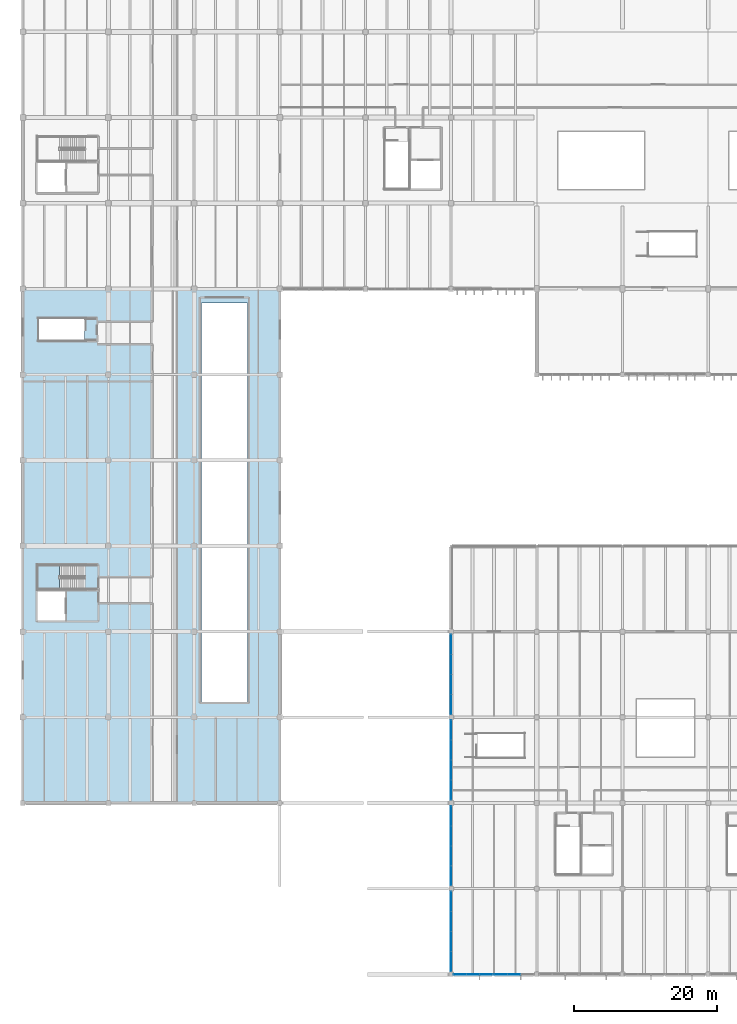
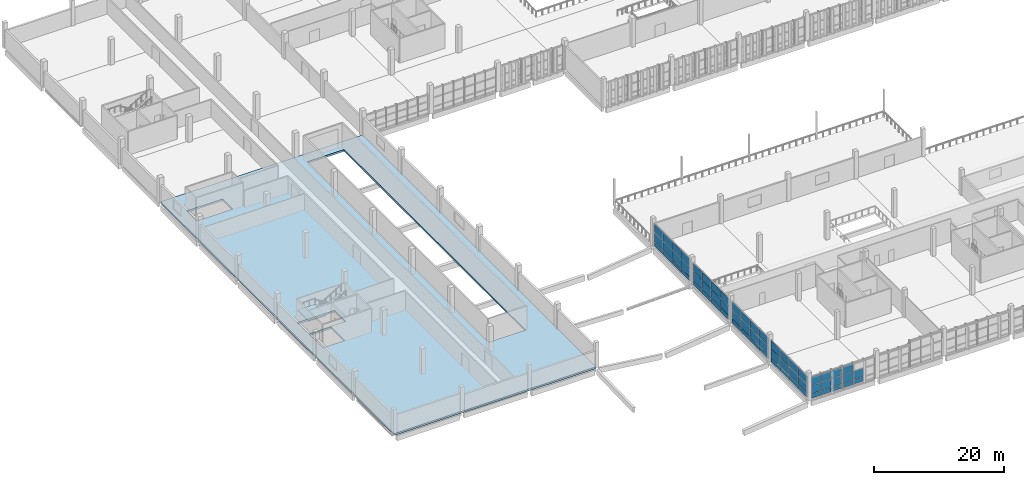
# One storey, part 58 of 112: 62 plates, 2 slabs, 7 elements without a shape of their own.
"""IFC4 building model written with IfcOpenShell, lengths in metres."""

from ifc_helpers import new_model, si_unit, direction, frame, origin, origin_2d, place, context, subcontext, project, spatial, polyline, rectangle, outline, extrude, material, layer, layer_set, type_object, element, aggregate, save


model = new_model("IFC4")

# Units and contexts
model_context = context("Model", 3, precision=1e-05, world=origin(), true_north=direction((0.0, 1.0)))
body_context = subcontext(model_context, "Body", "Model", "MODEL_VIEW")
ifc_project = project(units=[si_unit("LENGTHUNIT", "METRE"), si_unit("AREAUNIT", "SQUARE_METRE"), si_unit("VOLUMEUNIT", "CUBIC_METRE"), si_unit("PLANEANGLEUNIT", "RADIAN"), si_unit("MASSUNIT", "GRAM", prefix="KILO")], contexts=[model_context])

# Site, building, storey
site_placement = place(None, origin())
site = spatial("IfcSite", under=ifc_project, at=site_placement, CompositionType="ELEMENT")
building_placement = place(site_placement, origin())
building = spatial("IfcBuilding", under=site, at=building_placement, Name="Kamomehara Wholesale Market", CompositionType="ELEMENT")
storey_placement = place(building_placement, frame((0.0, 0.0, 6.60009765625)))
storey = spatial("IfcBuildingStorey", under=building, at=storey_placement, Name="L01", CompositionType="ELEMENT", Elevation=6.60009765625)

# Curtain wall, plates
ifc_material_1 = material(Name="Anodised aluminium 6063-T5", Category="aluminium")
curtain_wall_type_1 = type_object("IfcCurtainWallType", Name="CW-UN-01", PredefinedType="NOTDEFINED", material=ifc_material_1)
curtain_wall_1_placement = place(storey_placement, origin())
curtain_wall_1 = element("IfcCurtainWall", 1, at=curtain_wall_1_placement, inside=storey, type_object=curtain_wall_type_1, Name="Unitised curtain wall CW-121", PredefinedType="NOTDEFINED")
ifc_material_2 = material(Name="Solar-control Low-E double glazing", Category="glass")
ifc_layer_1 = layer(ifc_material_2, 0.028076171875)
ifc_layer_set_1 = layer_set([ifc_layer_1], Name="Solar-control Low-E double glazing")
plate_type_1 = type_object("IfcPlateType", Name="CW-PNL-GLZ", PredefinedType="CURTAIN_PANEL", material=ifc_layer_set_1)
plate_1_placement = place(storey_placement, frame((68.800048828125, 11.97998046875, 0.929931640625), z_axis=(0.0, 0.0, 1.0), x_axis=(-1.0, 0.0, 0.0)))
plate_1 = element("IfcPlate", 2, at=plate_1_placement, type_object=plate_type_1, Name="Curtain panel CW-121.1.1", PredefinedType="CURTAIN_PANEL", context=body_context, shape_type="SweptSolid", body=[
    extrude(rectangle(XDim=1.787109375, YDim=0.028076171875, at=origin_2d()), origin(), (0.0, 0.0, 1.0), 1.580078125),
])
plate_2_placement = place(storey_placement, frame((66.93310546875, 11.97998046875, 0.929931640625), z_axis=(0.0, 0.0, 1.0), x_axis=(-1.0, 0.0, 0.0)))
plate_2 = element("IfcPlate", 3, at=plate_2_placement, type_object=plate_type_1, Name="Curtain panel CW-121.2.1", PredefinedType="CURTAIN_PANEL", context=body_context, shape_type="SweptSolid", body=[
    extrude(rectangle(XDim=1.787109375, YDim=0.028076171875, at=origin_2d()), origin(), (0.0, 0.0, 1.0), 1.580078125),
])
plate_3_placement = place(storey_placement, frame((66.93310546875, 11.97998046875, 2.56982421875), z_axis=(0.0, 0.0, 1.0), x_axis=(-1.0, 0.0, 0.0)))
plate_3 = element("IfcPlate", 4, at=plate_3_placement, type_object=plate_type_1, Name="Curtain panel CW-121.2.2", PredefinedType="CURTAIN_PANEL", context=body_context, shape_type="SweptSolid", body=[
    extrude(rectangle(XDim=1.787109375, YDim=0.028076171875, at=origin_2d()), origin(), (0.0, 0.0, 1.0), 1.5400390625),
])

curtain_wall_2_placement = place(storey_placement, origin())
curtain_wall_2 = element("IfcCurtainWall", 5, at=curtain_wall_2_placement, inside=storey, type_object=curtain_wall_type_1, Name="Unitised curtain wall CW-122", PredefinedType="NOTDEFINED")
plate_4_placement = place(storey_placement, frame((64.888916015625, 11.97998046875, 0.929931640625), z_axis=(0.0, 0.0, 1.0), x_axis=(-1.0, 0.0, 0.0)))
plate_4 = element("IfcPlate", 6, at=plate_4_placement, type_object=plate_type_1, Name="Curtain panel CW-122.0.1", PredefinedType="CURTAIN_PANEL", context=body_context, shape_type="SweptSolid", body=[
    extrude(rectangle(XDim=1.741943359375, YDim=0.028076171875, at=origin_2d()), origin(), (0.0, 0.0, 1.0), 1.580078125),
])
plate_5_placement = place(storey_placement, frame((64.888916015625, 11.97998046875, 2.56982421875), z_axis=(0.0, 0.0, 1.0), x_axis=(-1.0, 0.0, 0.0)))
plate_5 = element("IfcPlate", 7, at=plate_5_placement, type_object=plate_type_1, Name="Curtain panel CW-122.0.2", PredefinedType="CURTAIN_PANEL", context=body_context, shape_type="SweptSolid", body=[
    extrude(rectangle(XDim=1.741943359375, YDim=0.028076171875, at=origin_2d()), origin(), (0.0, 0.0, 1.0), 1.5400390625),
])
plate_6_placement = place(storey_placement, frame((63.06689453125, 11.97998046875, 0.929931640625), z_axis=(0.0, 0.0, 1.0), x_axis=(-1.0, 0.0, 0.0)))
plate_6 = element("IfcPlate", 8, at=plate_6_placement, type_object=plate_type_1, Name="Curtain panel CW-122.1.1", PredefinedType="CURTAIN_PANEL", context=body_context, shape_type="SweptSolid", body=[
    extrude(rectangle(XDim=1.741943359375, YDim=0.028076171875, at=origin_2d()), origin(), (0.0, 0.0, 1.0), 1.580078125),
])
plate_7_placement = place(storey_placement, frame((63.06689453125, 11.97998046875, 2.56982421875), z_axis=(0.0, 0.0, 1.0), x_axis=(-1.0, 0.0, 0.0)))
plate_7 = element("IfcPlate", 9, at=plate_7_placement, type_object=plate_type_1, Name="Curtain panel CW-122.1.2", PredefinedType="CURTAIN_PANEL", context=body_context, shape_type="SweptSolid", body=[
    extrude(rectangle(XDim=1.741943359375, YDim=0.028076171875, at=origin_2d()), origin(), (0.0, 0.0, 1.0), 1.5400390625),
])
plate_8_placement = place(storey_placement, frame((61.24609375, 11.97998046875, 0.929931640625), z_axis=(0.0, 0.0, 1.0), x_axis=(-1.0, 0.0, 0.0)))
plate_8 = element("IfcPlate", 10, at=plate_8_placement, type_object=plate_type_1, Name="Curtain panel CW-122.2.1", PredefinedType="CURTAIN_PANEL", context=body_context, shape_type="SweptSolid", body=[
    extrude(rectangle(XDim=1.741943359375, YDim=0.028076171875, at=origin_2d()), origin(), (0.0, 0.0, 1.0), 1.580078125),
])
plate_9_placement = place(storey_placement, frame((61.24609375, 11.97998046875, 2.56982421875), z_axis=(0.0, 0.0, 1.0), x_axis=(-1.0, 0.0, 0.0)))
plate_9 = element("IfcPlate", 11, at=plate_9_placement, type_object=plate_type_1, Name="Curtain panel CW-122.2.2", PredefinedType="CURTAIN_PANEL", context=body_context, shape_type="SweptSolid", body=[
    extrude(rectangle(XDim=1.741943359375, YDim=0.028076171875, at=origin_2d()), origin(), (0.0, 0.0, 1.0), 1.5400390625),
])

ifc_material_3 = material(Name="Anodised aluminium 6063-T5", Category="aluminium")
curtain_wall_type_2 = type_object("IfcCurtainWallType", Name="CW-UN-06", PredefinedType="NOTDEFINED", material=ifc_material_3)
curtain_wall_3_placement = place(storey_placement, origin())
curtain_wall_3 = element("IfcCurtainWall", 12, at=curtain_wall_3_placement, inside=storey, type_object=curtain_wall_type_2, Name="Unitised curtain wall CW-129", PredefinedType="NOTDEFINED")
plate_10_placement = place(storey_placement, frame((59.97998046875, 13.800048828125, 0.929931640625), z_axis=(0.0, 0.0, 1.0), x_axis=(0.0, 1.0, 0.0)))
plate_10 = element("IfcPlate", 13, at=plate_10_placement, type_object=plate_type_1, Name="Curtain panel CW-129.0.1", PredefinedType="CURTAIN_PANEL", context=body_context, shape_type="SweptSolid", body=[
    extrude(rectangle(XDim=2.719970703125, YDim=0.028076171875, at=origin_2d()), origin(), (0.0, 0.0, 1.0), 1.580078125),
])
plate_11_placement = place(storey_placement, frame((59.97998046875, 13.800048828125, 2.56982421875), z_axis=(0.0, 0.0, 1.0), x_axis=(0.0, 1.0, 0.0)))
plate_11 = element("IfcPlate", 14, at=plate_11_placement, type_object=plate_type_1, Name="Curtain panel CW-129.0.2", PredefinedType="CURTAIN_PANEL", context=body_context, shape_type="SweptSolid", body=[
    extrude(rectangle(XDim=2.719970703125, YDim=0.028076171875, at=origin_2d()), origin(), (0.0, 0.0, 1.0), 1.5400390625),
])
plate_12_placement = place(storey_placement, frame((59.97998046875, 16.60009765625, 0.929931640625), z_axis=(0.0, 0.0, 1.0), x_axis=(0.0, 1.0, 0.0)))
plate_12 = element("IfcPlate", 15, at=plate_12_placement, type_object=plate_type_1, Name="Curtain panel CW-129.1.1", PredefinedType="CURTAIN_PANEL", context=body_context, shape_type="SweptSolid", body=[
    extrude(rectangle(XDim=2.719970703125, YDim=0.028076171875, at=origin_2d()), origin(), (0.0, 0.0, 1.0), 1.580078125),
])
plate_13_placement = place(storey_placement, frame((59.97998046875, 16.60009765625, 2.56982421875), z_axis=(0.0, 0.0, 1.0), x_axis=(0.0, 1.0, 0.0)))
plate_13 = element("IfcPlate", 16, at=plate_13_placement, type_object=plate_type_1, Name="Curtain panel CW-129.1.2", PredefinedType="CURTAIN_PANEL", context=body_context, shape_type="SweptSolid", body=[
    extrude(rectangle(XDim=2.719970703125, YDim=0.028076171875, at=origin_2d()), origin(), (0.0, 0.0, 1.0), 1.5400390625),
])
plate_14_placement = place(storey_placement, frame((59.97998046875, 19.39990234375, 0.929931640625), z_axis=(0.0, 0.0, 1.0), x_axis=(0.0, 1.0, 0.0)))
plate_14 = element("IfcPlate", 17, at=plate_14_placement, type_object=plate_type_1, Name="Curtain panel CW-129.2.1", PredefinedType="CURTAIN_PANEL", context=body_context, shape_type="SweptSolid", body=[
    extrude(rectangle(XDim=2.719970703125, YDim=0.028076171875, at=origin_2d()), origin(), (0.0, 0.0, 1.0), 1.580078125),
])
plate_15_placement = place(storey_placement, frame((59.97998046875, 19.39990234375, 2.56982421875), z_axis=(0.0, 0.0, 1.0), x_axis=(0.0, 1.0, 0.0)))
plate_15 = element("IfcPlate", 18, at=plate_15_placement, type_object=plate_type_1, Name="Curtain panel CW-129.2.2", PredefinedType="CURTAIN_PANEL", context=body_context, shape_type="SweptSolid", body=[
    extrude(rectangle(XDim=2.719970703125, YDim=0.028076171875, at=origin_2d()), origin(), (0.0, 0.0, 1.0), 1.5400390625),
])
plate_16_placement = place(storey_placement, frame((59.97998046875, 22.199951171875, 0.929931640625), z_axis=(0.0, 0.0, 1.0), x_axis=(0.0, 1.0, 0.0)))
plate_16 = element("IfcPlate", 19, at=plate_16_placement, type_object=plate_type_1, Name="Curtain panel CW-129.3.1", PredefinedType="CURTAIN_PANEL", context=body_context, shape_type="SweptSolid", body=[
    extrude(rectangle(XDim=2.719970703125, YDim=0.028076171875, at=origin_2d()), origin(), (0.0, 0.0, 1.0), 1.580078125),
])
plate_17_placement = place(storey_placement, frame((59.97998046875, 22.199951171875, 2.56982421875), z_axis=(0.0, 0.0, 1.0), x_axis=(0.0, 1.0, 0.0)))
plate_17 = element("IfcPlate", 20, at=plate_17_placement, type_object=plate_type_1, Name="Curtain panel CW-129.3.2", PredefinedType="CURTAIN_PANEL", context=body_context, shape_type="SweptSolid", body=[
    extrude(rectangle(XDim=2.719970703125, YDim=0.028076171875, at=origin_2d()), origin(), (0.0, 0.0, 1.0), 1.5400390625),
])

curtain_wall_4_placement = place(storey_placement, origin())
curtain_wall_4 = element("IfcCurtainWall", 21, at=curtain_wall_4_placement, inside=storey, type_object=curtain_wall_type_2, Name="Unitised curtain wall CW-130", PredefinedType="NOTDEFINED")
plate_18_placement = place(storey_placement, frame((59.97998046875, 25.800048828125, 0.929931640625), z_axis=(0.0, 0.0, 1.0), x_axis=(0.0, 1.0, 0.0)))
plate_18 = element("IfcPlate", 22, at=plate_18_placement, type_object=plate_type_1, Name="Curtain panel CW-130.0.1", PredefinedType="CURTAIN_PANEL", context=body_context, shape_type="SweptSolid", body=[
    extrude(rectangle(XDim=2.719970703125, YDim=0.028076171875, at=origin_2d()), origin(), (0.0, 0.0, 1.0), 1.580078125),
])
plate_19_placement = place(storey_placement, frame((59.97998046875, 25.800048828125, 2.56982421875), z_axis=(0.0, 0.0, 1.0), x_axis=(0.0, 1.0, 0.0)))
plate_19 = element("IfcPlate", 23, at=plate_19_placement, type_object=plate_type_1, Name="Curtain panel CW-130.0.2", PredefinedType="CURTAIN_PANEL", context=body_context, shape_type="SweptSolid", body=[
    extrude(rectangle(XDim=2.719970703125, YDim=0.028076171875, at=origin_2d()), origin(), (0.0, 0.0, 1.0), 1.5400390625),
])
plate_20_placement = place(storey_placement, frame((59.97998046875, 28.60009765625, 0.929931640625), z_axis=(0.0, 0.0, 1.0), x_axis=(0.0, 1.0, 0.0)))
plate_20 = element("IfcPlate", 24, at=plate_20_placement, type_object=plate_type_1, Name="Curtain panel CW-130.1.1", PredefinedType="CURTAIN_PANEL", context=body_context, shape_type="SweptSolid", body=[
    extrude(rectangle(XDim=2.719970703125, YDim=0.028076171875, at=origin_2d()), origin(), (0.0, 0.0, 1.0), 1.580078125),
])
plate_21_placement = place(storey_placement, frame((59.97998046875, 28.60009765625, 2.56982421875), z_axis=(0.0, 0.0, 1.0), x_axis=(0.0, 1.0, 0.0)))
plate_21 = element("IfcPlate", 25, at=plate_21_placement, type_object=plate_type_1, Name="Curtain panel CW-130.1.2", PredefinedType="CURTAIN_PANEL", context=body_context, shape_type="SweptSolid", body=[
    extrude(rectangle(XDim=2.719970703125, YDim=0.028076171875, at=origin_2d()), origin(), (0.0, 0.0, 1.0), 1.5400390625),
])
plate_22_placement = place(storey_placement, frame((59.97998046875, 31.39990234375, 0.929931640625), z_axis=(0.0, 0.0, 1.0), x_axis=(0.0, 1.0, 0.0)))
plate_22 = element("IfcPlate", 26, at=plate_22_placement, type_object=plate_type_1, Name="Curtain panel CW-130.2.1", PredefinedType="CURTAIN_PANEL", context=body_context, shape_type="SweptSolid", body=[
    extrude(rectangle(XDim=2.719970703125, YDim=0.028076171875, at=origin_2d()), origin(), (0.0, 0.0, 1.0), 1.580078125),
])
plate_23_placement = place(storey_placement, frame((59.97998046875, 31.39990234375, 2.56982421875), z_axis=(0.0, 0.0, 1.0), x_axis=(0.0, 1.0, 0.0)))
plate_23 = element("IfcPlate", 27, at=plate_23_placement, type_object=plate_type_1, Name="Curtain panel CW-130.2.2", PredefinedType="CURTAIN_PANEL", context=body_context, shape_type="SweptSolid", body=[
    extrude(rectangle(XDim=2.719970703125, YDim=0.028076171875, at=origin_2d()), origin(), (0.0, 0.0, 1.0), 1.5400390625),
])
plate_24_placement = place(storey_placement, frame((59.97998046875, 34.199951171875, 0.929931640625), z_axis=(0.0, 0.0, 1.0), x_axis=(0.0, 1.0, 0.0)))
plate_24 = element("IfcPlate", 28, at=plate_24_placement, type_object=plate_type_1, Name="Curtain panel CW-130.3.1", PredefinedType="CURTAIN_PANEL", context=body_context, shape_type="SweptSolid", body=[
    extrude(rectangle(XDim=2.719970703125, YDim=0.028076171875, at=origin_2d()), origin(), (0.0, 0.0, 1.0), 1.580078125),
])
plate_25_placement = place(storey_placement, frame((59.97998046875, 34.199951171875, 2.56982421875), z_axis=(0.0, 0.0, 1.0), x_axis=(0.0, 1.0, 0.0)))
plate_25 = element("IfcPlate", 29, at=plate_25_placement, type_object=plate_type_1, Name="Curtain panel CW-130.3.2", PredefinedType="CURTAIN_PANEL", context=body_context, shape_type="SweptSolid", body=[
    extrude(rectangle(XDim=2.719970703125, YDim=0.028076171875, at=origin_2d()), origin(), (0.0, 0.0, 1.0), 1.5400390625),
])

curtain_wall_5_placement = place(storey_placement, origin())
curtain_wall_5 = element("IfcCurtainWall", 30, at=curtain_wall_5_placement, inside=storey, type_object=curtain_wall_type_2, Name="Unitised curtain wall CW-131", PredefinedType="NOTDEFINED")
plate_26_placement = place(storey_placement, frame((59.97998046875, 37.800048828125, 0.929931640625), z_axis=(0.0, 0.0, 1.0), x_axis=(0.0, 1.0, 0.0)))
plate_26 = element("IfcPlate", 31, at=plate_26_placement, type_object=plate_type_1, Name="Curtain panel CW-131.0.1", PredefinedType="CURTAIN_PANEL", context=body_context, shape_type="SweptSolid", body=[
    extrude(rectangle(XDim=2.719970703125, YDim=0.028076171875, at=origin_2d()), origin(), (0.0, 0.0, 1.0), 1.580078125),
])
plate_27_placement = place(storey_placement, frame((59.97998046875, 37.800048828125, 2.56982421875), z_axis=(0.0, 0.0, 1.0), x_axis=(0.0, 1.0, 0.0)))
plate_27 = element("IfcPlate", 32, at=plate_27_placement, type_object=plate_type_1, Name="Curtain panel CW-131.0.2", PredefinedType="CURTAIN_PANEL", context=body_context, shape_type="SweptSolid", body=[
    extrude(rectangle(XDim=2.719970703125, YDim=0.028076171875, at=origin_2d()), origin(), (0.0, 0.0, 1.0), 1.5400390625),
])
plate_28_placement = place(storey_placement, frame((59.97998046875, 40.60009765625, 0.929931640625), z_axis=(0.0, 0.0, 1.0), x_axis=(0.0, 1.0, 0.0)))
plate_28 = element("IfcPlate", 33, at=plate_28_placement, type_object=plate_type_1, Name="Curtain panel CW-131.1.1", PredefinedType="CURTAIN_PANEL", context=body_context, shape_type="SweptSolid", body=[
    extrude(rectangle(XDim=2.719970703125, YDim=0.028076171875, at=origin_2d()), origin(), (0.0, 0.0, 1.0), 1.580078125),
])
plate_29_placement = place(storey_placement, frame((59.97998046875, 40.60009765625, 2.56982421875), z_axis=(0.0, 0.0, 1.0), x_axis=(0.0, 1.0, 0.0)))
plate_29 = element("IfcPlate", 34, at=plate_29_placement, type_object=plate_type_1, Name="Curtain panel CW-131.1.2", PredefinedType="CURTAIN_PANEL", context=body_context, shape_type="SweptSolid", body=[
    extrude(rectangle(XDim=2.719970703125, YDim=0.028076171875, at=origin_2d()), origin(), (0.0, 0.0, 1.0), 1.5400390625),
])
plate_30_placement = place(storey_placement, frame((59.97998046875, 43.39990234375, 0.929931640625), z_axis=(0.0, 0.0, 1.0), x_axis=(0.0, 1.0, 0.0)))
plate_30 = element("IfcPlate", 35, at=plate_30_placement, type_object=plate_type_1, Name="Curtain panel CW-131.2.1", PredefinedType="CURTAIN_PANEL", context=body_context, shape_type="SweptSolid", body=[
    extrude(rectangle(XDim=2.719970703125, YDim=0.028076171875, at=origin_2d()), origin(), (0.0, 0.0, 1.0), 1.580078125),
])
plate_31_placement = place(storey_placement, frame((59.97998046875, 43.39990234375, 2.56982421875), z_axis=(0.0, 0.0, 1.0), x_axis=(0.0, 1.0, 0.0)))
plate_31 = element("IfcPlate", 36, at=plate_31_placement, type_object=plate_type_1, Name="Curtain panel CW-131.2.2", PredefinedType="CURTAIN_PANEL", context=body_context, shape_type="SweptSolid", body=[
    extrude(rectangle(XDim=2.719970703125, YDim=0.028076171875, at=origin_2d()), origin(), (0.0, 0.0, 1.0), 1.5400390625),
])
plate_32_placement = place(storey_placement, frame((59.97998046875, 46.199951171875, 0.929931640625), z_axis=(0.0, 0.0, 1.0), x_axis=(0.0, 1.0, 0.0)))
plate_32 = element("IfcPlate", 37, at=plate_32_placement, type_object=plate_type_1, Name="Curtain panel CW-131.3.1", PredefinedType="CURTAIN_PANEL", context=body_context, shape_type="SweptSolid", body=[
    extrude(rectangle(XDim=2.719970703125, YDim=0.028076171875, at=origin_2d()), origin(), (0.0, 0.0, 1.0), 1.580078125),
])
plate_33_placement = place(storey_placement, frame((59.97998046875, 46.199951171875, 2.56982421875), z_axis=(0.0, 0.0, 1.0), x_axis=(0.0, 1.0, 0.0)))
plate_33 = element("IfcPlate", 38, at=plate_33_placement, type_object=plate_type_1, Name="Curtain panel CW-131.3.2", PredefinedType="CURTAIN_PANEL", context=body_context, shape_type="SweptSolid", body=[
    extrude(rectangle(XDim=2.719970703125, YDim=0.028076171875, at=origin_2d()), origin(), (0.0, 0.0, 1.0), 1.5400390625),
])

curtain_wall_6_placement = place(storey_placement, origin())
curtain_wall_6 = element("IfcCurtainWall", 39, at=curtain_wall_6_placement, inside=storey, type_object=curtain_wall_type_2, Name="Unitised curtain wall CW-132", PredefinedType="NOTDEFINED")
plate_34_placement = place(storey_placement, frame((59.97998046875, 49.800048828125, 0.92919921875), z_axis=(0.0, 0.0, 1.0), x_axis=(0.0, 1.0, 0.0)))
plate_34 = element("IfcPlate", 40, at=plate_34_placement, type_object=plate_type_1, Name="Curtain panel CW-132.0.1", PredefinedType="CURTAIN_PANEL", context=body_context, shape_type="SweptSolid", body=[
    extrude(rectangle(XDim=2.719970703125, YDim=0.028076171875, at=origin_2d()), origin(), (0.0, 0.0, 1.0), 1.655029296875),
])
plate_35_placement = place(storey_placement, frame((59.97998046875, 49.800048828125, 2.6455078125), z_axis=(0.0, 0.0, 1.0), x_axis=(0.0, 1.0, 0.0)))
plate_35 = element("IfcPlate", 41, at=plate_35_placement, type_object=plate_type_1, Name="Curtain panel CW-132.0.2", PredefinedType="CURTAIN_PANEL", context=body_context, shape_type="SweptSolid", body=[
    extrude(rectangle(XDim=2.719970703125, YDim=0.028076171875, at=origin_2d()), origin(), (0.0, 0.0, 1.0), 1.614990234375),
])
plate_36_placement = place(storey_placement, frame((59.97998046875, 52.60009765625, 0.92919921875), z_axis=(0.0, 0.0, 1.0), x_axis=(0.0, 1.0, 0.0)))
plate_36 = element("IfcPlate", 42, at=plate_36_placement, type_object=plate_type_1, Name="Curtain panel CW-132.1.1", PredefinedType="CURTAIN_PANEL", context=body_context, shape_type="SweptSolid", body=[
    extrude(rectangle(XDim=2.719970703125, YDim=0.028076171875, at=origin_2d()), origin(), (0.0, 0.0, 1.0), 1.655029296875),
])
plate_37_placement = place(storey_placement, frame((59.97998046875, 52.60009765625, 2.6455078125), z_axis=(0.0, 0.0, 1.0), x_axis=(0.0, 1.0, 0.0)))
plate_37 = element("IfcPlate", 43, at=plate_37_placement, type_object=plate_type_1, Name="Curtain panel CW-132.1.2", PredefinedType="CURTAIN_PANEL", context=body_context, shape_type="SweptSolid", body=[
    extrude(rectangle(XDim=2.719970703125, YDim=0.028076171875, at=origin_2d()), origin(), (0.0, 0.0, 1.0), 1.614990234375),
])
plate_38_placement = place(storey_placement, frame((59.97998046875, 55.39990234375, 0.92919921875), z_axis=(0.0, 0.0, 1.0), x_axis=(0.0, 1.0, 0.0)))
plate_38 = element("IfcPlate", 44, at=plate_38_placement, type_object=plate_type_1, Name="Curtain panel CW-132.2.1", PredefinedType="CURTAIN_PANEL", context=body_context, shape_type="SweptSolid", body=[
    extrude(rectangle(XDim=2.719970703125, YDim=0.028076171875, at=origin_2d()), origin(), (0.0, 0.0, 1.0), 1.655029296875),
])
plate_39_placement = place(storey_placement, frame((59.97998046875, 55.39990234375, 2.6455078125), z_axis=(0.0, 0.0, 1.0), x_axis=(0.0, 1.0, 0.0)))
plate_39 = element("IfcPlate", 45, at=plate_39_placement, type_object=plate_type_1, Name="Curtain panel CW-132.2.2", PredefinedType="CURTAIN_PANEL", context=body_context, shape_type="SweptSolid", body=[
    extrude(rectangle(XDim=2.719970703125, YDim=0.028076171875, at=origin_2d()), origin(), (0.0, 0.0, 1.0), 1.614990234375),
])
plate_40_placement = place(storey_placement, frame((59.97998046875, 58.199951171875, 0.92919921875), z_axis=(0.0, 0.0, 1.0), x_axis=(0.0, 1.0, 0.0)))
plate_40 = element("IfcPlate", 46, at=plate_40_placement, type_object=plate_type_1, Name="Curtain panel CW-132.3.1", PredefinedType="CURTAIN_PANEL", context=body_context, shape_type="SweptSolid", body=[
    extrude(rectangle(XDim=2.719970703125, YDim=0.028076171875, at=origin_2d()), origin(), (0.0, 0.0, 1.0), 1.655029296875),
])
plate_41_placement = place(storey_placement, frame((59.97998046875, 58.199951171875, 2.6455078125), z_axis=(0.0, 0.0, 1.0), x_axis=(0.0, 1.0, 0.0)))
plate_41 = element("IfcPlate", 47, at=plate_41_placement, type_object=plate_type_1, Name="Curtain panel CW-132.3.2", PredefinedType="CURTAIN_PANEL", context=body_context, shape_type="SweptSolid", body=[
    extrude(rectangle(XDim=2.719970703125, YDim=0.028076171875, at=origin_2d()), origin(), (0.0, 0.0, 1.0), 1.614990234375),
])

# Plate
ifc_material_4 = material(Name="Insulated aluminium spandrel panel", Category="aluminium")
ifc_layer_2 = layer(ifc_material_4, 0.0400390625)
ifc_layer_set_2 = layer_set([ifc_layer_2], Name="Insulated aluminium spandrel panel")
plate_type_2 = type_object("IfcPlateType", Name="CW-PNL-SPN", PredefinedType="CURTAIN_PANEL", material=ifc_layer_set_2)
plate_42_placement = place(storey_placement, frame((68.800048828125, 11.97998046875, 0.06982421875), z_axis=(0.0, 0.0, 1.0), x_axis=(-1.0, 0.0, 0.0)))
plate_42 = element("IfcPlate", 48, at=plate_42_placement, type_object=plate_type_2, Name="Curtain panel CW-121.1.0", PredefinedType="CURTAIN_PANEL", context=body_context, shape_type="SweptSolid", body=[
    extrude(rectangle(XDim=1.787109375, YDim=0.0400390625, at=origin_2d()), origin(), (0.0, 0.0, 1.0), 0.800048828125),
])

plate_43_placement = place(storey_placement, frame((66.93310546875, 11.97998046875, 0.06982421875), z_axis=(0.0, 0.0, 1.0), x_axis=(-1.0, 0.0, 0.0)))
plate_43 = element("IfcPlate", 49, at=plate_43_placement, type_object=plate_type_2, Name="Curtain panel CW-121.2.0", PredefinedType="CURTAIN_PANEL", context=body_context, shape_type="SweptSolid", body=[
    extrude(rectangle(XDim=1.787109375, YDim=0.0400390625, at=origin_2d()), origin(), (0.0, 0.0, 1.0), 0.800048828125),
])

aggregate(curtain_wall_1, [plate_42, plate_1, plate_43, plate_2, plate_3])

plate_44_placement = place(storey_placement, frame((64.888916015625, 11.97998046875, 0.06982421875), z_axis=(0.0, 0.0, 1.0), x_axis=(-1.0, 0.0, 0.0)))
plate_44 = element("IfcPlate", 50, at=plate_44_placement, type_object=plate_type_2, Name="Curtain panel CW-122.0.0", PredefinedType="CURTAIN_PANEL", context=body_context, shape_type="SweptSolid", body=[
    extrude(rectangle(XDim=1.741943359375, YDim=0.0400390625, at=origin_2d()), origin(), (0.0, 0.0, 1.0), 0.800048828125),
])

plate_45_placement = place(storey_placement, frame((63.06689453125, 11.97998046875, 0.06982421875), z_axis=(0.0, 0.0, 1.0), x_axis=(-1.0, 0.0, 0.0)))
plate_45 = element("IfcPlate", 51, at=plate_45_placement, type_object=plate_type_2, Name="Curtain panel CW-122.1.0", PredefinedType="CURTAIN_PANEL", context=body_context, shape_type="SweptSolid", body=[
    extrude(rectangle(XDim=1.741943359375, YDim=0.0400390625, at=origin_2d()), origin(), (0.0, 0.0, 1.0), 0.800048828125),
])

plate_46_placement = place(storey_placement, frame((61.24609375, 11.97998046875, 0.06982421875), z_axis=(0.0, 0.0, 1.0), x_axis=(-1.0, 0.0, 0.0)))
plate_46 = element("IfcPlate", 52, at=plate_46_placement, type_object=plate_type_2, Name="Curtain panel CW-122.2.0", PredefinedType="CURTAIN_PANEL", context=body_context, shape_type="SweptSolid", body=[
    extrude(rectangle(XDim=1.741943359375, YDim=0.0400390625, at=origin_2d()), origin(), (0.0, 0.0, 1.0), 0.800048828125),
])

aggregate(curtain_wall_2, [plate_44, plate_4, plate_5, plate_45, plate_6, plate_7, plate_46, plate_8, plate_9])

plate_47_placement = place(storey_placement, frame((59.97998046875, 13.800048828125, 0.06982421875), z_axis=(0.0, 0.0, 1.0), x_axis=(0.0, 1.0, 0.0)))
plate_47 = element("IfcPlate", 53, at=plate_47_placement, type_object=plate_type_2, Name="Curtain panel CW-129.0.0", PredefinedType="CURTAIN_PANEL", context=body_context, shape_type="SweptSolid", body=[
    extrude(rectangle(XDim=2.719970703125, YDim=0.0400390625, at=origin_2d()), origin(), (0.0, 0.0, 1.0), 0.800048828125),
])

plate_48_placement = place(storey_placement, frame((59.97998046875, 16.60009765625, 0.06982421875), z_axis=(0.0, 0.0, 1.0), x_axis=(0.0, 1.0, 0.0)))
plate_48 = element("IfcPlate", 54, at=plate_48_placement, type_object=plate_type_2, Name="Curtain panel CW-129.1.0", PredefinedType="CURTAIN_PANEL", context=body_context, shape_type="SweptSolid", body=[
    extrude(rectangle(XDim=2.719970703125, YDim=0.0400390625, at=origin_2d()), origin(), (0.0, 0.0, 1.0), 0.800048828125),
])

plate_49_placement = place(storey_placement, frame((59.97998046875, 19.39990234375, 0.06982421875), z_axis=(0.0, 0.0, 1.0), x_axis=(0.0, 1.0, 0.0)))
plate_49 = element("IfcPlate", 55, at=plate_49_placement, type_object=plate_type_2, Name="Curtain panel CW-129.2.0", PredefinedType="CURTAIN_PANEL", context=body_context, shape_type="SweptSolid", body=[
    extrude(rectangle(XDim=2.719970703125, YDim=0.0400390625, at=origin_2d()), origin(), (0.0, 0.0, 1.0), 0.800048828125),
])

plate_50_placement = place(storey_placement, frame((59.97998046875, 22.199951171875, 0.06982421875), z_axis=(0.0, 0.0, 1.0), x_axis=(0.0, 1.0, 0.0)))
plate_50 = element("IfcPlate", 56, at=plate_50_placement, type_object=plate_type_2, Name="Curtain panel CW-129.3.0", PredefinedType="CURTAIN_PANEL", context=body_context, shape_type="SweptSolid", body=[
    extrude(rectangle(XDim=2.719970703125, YDim=0.0400390625, at=origin_2d()), origin(), (0.0, 0.0, 1.0), 0.800048828125),
])

aggregate(curtain_wall_3, [plate_47, plate_10, plate_11, plate_48, plate_12, plate_13, plate_49, plate_14, plate_15, plate_50, plate_16, plate_17])

plate_51_placement = place(storey_placement, frame((59.97998046875, 25.800048828125, 0.06982421875), z_axis=(0.0, 0.0, 1.0), x_axis=(0.0, 1.0, 0.0)))
plate_51 = element("IfcPlate", 57, at=plate_51_placement, type_object=plate_type_2, Name="Curtain panel CW-130.0.0", PredefinedType="CURTAIN_PANEL", context=body_context, shape_type="SweptSolid", body=[
    extrude(rectangle(XDim=2.719970703125, YDim=0.0400390625, at=origin_2d()), origin(), (0.0, 0.0, 1.0), 0.800048828125),
])

plate_52_placement = place(storey_placement, frame((59.97998046875, 28.60009765625, 0.06982421875), z_axis=(0.0, 0.0, 1.0), x_axis=(0.0, 1.0, 0.0)))
plate_52 = element("IfcPlate", 58, at=plate_52_placement, type_object=plate_type_2, Name="Curtain panel CW-130.1.0", PredefinedType="CURTAIN_PANEL", context=body_context, shape_type="SweptSolid", body=[
    extrude(rectangle(XDim=2.719970703125, YDim=0.0400390625, at=origin_2d()), origin(), (0.0, 0.0, 1.0), 0.800048828125),
])

plate_53_placement = place(storey_placement, frame((59.97998046875, 31.39990234375, 0.06982421875), z_axis=(0.0, 0.0, 1.0), x_axis=(0.0, 1.0, 0.0)))
plate_53 = element("IfcPlate", 59, at=plate_53_placement, type_object=plate_type_2, Name="Curtain panel CW-130.2.0", PredefinedType="CURTAIN_PANEL", context=body_context, shape_type="SweptSolid", body=[
    extrude(rectangle(XDim=2.719970703125, YDim=0.0400390625, at=origin_2d()), origin(), (0.0, 0.0, 1.0), 0.800048828125),
])

plate_54_placement = place(storey_placement, frame((59.97998046875, 34.199951171875, 0.06982421875), z_axis=(0.0, 0.0, 1.0), x_axis=(0.0, 1.0, 0.0)))
plate_54 = element("IfcPlate", 60, at=plate_54_placement, type_object=plate_type_2, Name="Curtain panel CW-130.3.0", PredefinedType="CURTAIN_PANEL", context=body_context, shape_type="SweptSolid", body=[
    extrude(rectangle(XDim=2.719970703125, YDim=0.0400390625, at=origin_2d()), origin(), (0.0, 0.0, 1.0), 0.800048828125),
])

aggregate(curtain_wall_4, [plate_51, plate_18, plate_19, plate_52, plate_20, plate_21, plate_53, plate_22, plate_23, plate_54, plate_24, plate_25])

plate_55_placement = place(storey_placement, frame((59.97998046875, 37.800048828125, 0.06982421875), z_axis=(0.0, 0.0, 1.0), x_axis=(0.0, 1.0, 0.0)))
plate_55 = element("IfcPlate", 61, at=plate_55_placement, type_object=plate_type_2, Name="Curtain panel CW-131.0.0", PredefinedType="CURTAIN_PANEL", context=body_context, shape_type="SweptSolid", body=[
    extrude(rectangle(XDim=2.719970703125, YDim=0.0400390625, at=origin_2d()), origin(), (0.0, 0.0, 1.0), 0.800048828125),
])

plate_56_placement = place(storey_placement, frame((59.97998046875, 40.60009765625, 0.06982421875), z_axis=(0.0, 0.0, 1.0), x_axis=(0.0, 1.0, 0.0)))
plate_56 = element("IfcPlate", 62, at=plate_56_placement, type_object=plate_type_2, Name="Curtain panel CW-131.1.0", PredefinedType="CURTAIN_PANEL", context=body_context, shape_type="SweptSolid", body=[
    extrude(rectangle(XDim=2.719970703125, YDim=0.0400390625, at=origin_2d()), origin(), (0.0, 0.0, 1.0), 0.800048828125),
])

plate_57_placement = place(storey_placement, frame((59.97998046875, 43.39990234375, 0.06982421875), z_axis=(0.0, 0.0, 1.0), x_axis=(0.0, 1.0, 0.0)))
plate_57 = element("IfcPlate", 63, at=plate_57_placement, type_object=plate_type_2, Name="Curtain panel CW-131.2.0", PredefinedType="CURTAIN_PANEL", context=body_context, shape_type="SweptSolid", body=[
    extrude(rectangle(XDim=2.719970703125, YDim=0.0400390625, at=origin_2d()), origin(), (0.0, 0.0, 1.0), 0.800048828125),
])

plate_58_placement = place(storey_placement, frame((59.97998046875, 46.199951171875, 0.06982421875), z_axis=(0.0, 0.0, 1.0), x_axis=(0.0, 1.0, 0.0)))
plate_58 = element("IfcPlate", 64, at=plate_58_placement, type_object=plate_type_2, Name="Curtain panel CW-131.3.0", PredefinedType="CURTAIN_PANEL", context=body_context, shape_type="SweptSolid", body=[
    extrude(rectangle(XDim=2.719970703125, YDim=0.0400390625, at=origin_2d()), origin(), (0.0, 0.0, 1.0), 0.800048828125),
])

aggregate(curtain_wall_5, [plate_55, plate_26, plate_27, plate_56, plate_28, plate_29, plate_57, plate_30, plate_31, plate_58, plate_32, plate_33])

plate_59_placement = place(storey_placement, frame((59.97998046875, 49.800048828125, 0.06982421875), z_axis=(0.0, 0.0, 1.0), x_axis=(0.0, 1.0, 0.0)))
plate_59 = element("IfcPlate", 65, at=plate_59_placement, type_object=plate_type_2, Name="Curtain panel CW-132.0.0", PredefinedType="CURTAIN_PANEL", context=body_context, shape_type="SweptSolid", body=[
    extrude(rectangle(XDim=2.719970703125, YDim=0.0400390625, at=origin_2d()), origin(), (0.0, 0.0, 1.0), 0.800048828125),
])

plate_60_placement = place(storey_placement, frame((59.97998046875, 52.60009765625, 0.06982421875), z_axis=(0.0, 0.0, 1.0), x_axis=(0.0, 1.0, 0.0)))
plate_60 = element("IfcPlate", 66, at=plate_60_placement, type_object=plate_type_2, Name="Curtain panel CW-132.1.0", PredefinedType="CURTAIN_PANEL", context=body_context, shape_type="SweptSolid", body=[
    extrude(rectangle(XDim=2.719970703125, YDim=0.0400390625, at=origin_2d()), origin(), (0.0, 0.0, 1.0), 0.800048828125),
])

plate_61_placement = place(storey_placement, frame((59.97998046875, 55.39990234375, 0.06982421875), z_axis=(0.0, 0.0, 1.0), x_axis=(0.0, 1.0, 0.0)))
plate_61 = element("IfcPlate", 67, at=plate_61_placement, type_object=plate_type_2, Name="Curtain panel CW-132.2.0", PredefinedType="CURTAIN_PANEL", context=body_context, shape_type="SweptSolid", body=[
    extrude(rectangle(XDim=2.719970703125, YDim=0.0400390625, at=origin_2d()), origin(), (0.0, 0.0, 1.0), 0.800048828125),
])

plate_62_placement = place(storey_placement, frame((59.97998046875, 58.199951171875, 0.06982421875), z_axis=(0.0, 0.0, 1.0), x_axis=(0.0, 1.0, 0.0)))
plate_62 = element("IfcPlate", 68, at=plate_62_placement, type_object=plate_type_2, Name="Curtain panel CW-132.3.0", PredefinedType="CURTAIN_PANEL", context=body_context, shape_type="SweptSolid", body=[
    extrude(rectangle(XDim=2.719970703125, YDim=0.0400390625, at=origin_2d()), origin(), (0.0, 0.0, 1.0), 0.800048828125),
])

aggregate(curtain_wall_6, [plate_59, plate_34, plate_35, plate_60, plate_36, plate_37, plate_61, plate_38, plate_39, plate_62, plate_40, plate_41])

# Slab
ifc_material_5 = material(Name="Concrete Fc36 (C35/45)", Category="concrete")
ifc_layer_3 = layer(ifc_material_5, 0.340087890625)
ifc_layer_set_3 = layer_set([ifc_layer_3], Name="Concrete Fc36 (C35/45)")
slab_type_1 = type_object("IfcSlabType", Name="SLB-FLR-280", PredefinedType="FLOOR", material=ifc_layer_set_3)
slab_1_placement = place(storey_placement, frame((0.0, 0.0, -0.340087890625)))
element("IfcSlab", 69, at=slab_1_placement, inside=storey, type_object=slab_type_1, Name="Floor slab V3 L01 91", PredefinedType="FLOOR", context=body_context, shape_type="SweptSolid", body=[
    extrude(outline(polyline([(36.0, 36.0), (0.0, 36.0), (0.0, 108.0), (36.0, 108.0), (36.0, 36.0)]), holes=[polyline([(8.6298828125, 65.89990234375), (8.6298828125, 69.300048828125), (2.050048828125, 69.300048828125), (2.050048828125, 65.89990234375), (8.6298828125, 65.89990234375)]), polyline([(5.929931640625, 61.52001953125), (5.929931640625, 65.659912109375), (2.050048828125, 65.659912109375), (2.050048828125, 61.52001953125), (5.929931640625, 61.52001953125)]), polyline([(8.639892578125, 100.77001953125), (8.639892578125, 103.85009765625), (2.219970703125, 103.85009765625), (2.219970703125, 100.77001953125), (8.639892578125, 100.77001953125)]), polyline([(31.5, 50.0), (31.5, 106.0), (25.0, 106.0), (25.0, 50.0), (31.5, 50.0)])]), origin(), (0.0, 0.0, 1.0), 0.340087890625),
])

# Stair, slab
ifc_material_6 = material(Name="Concrete Fc36 (C35/45)", Category="concrete")
stair_type = type_object("IfcStairType", Name="STR-DL-02", PredefinedType="HALF_TURN_STAIR", material=ifc_material_6)
stair_placement = place(storey_placement, origin())
stair = element("IfcStair", 70, at=stair_placement, inside=storey, type_object=stair_type, Name="L01 Core exit stair ST-03", PredefinedType="HALF_TURN_STAIR")
ifc_material_7 = material(Name="Concrete Fc36 (C35/45)", Category="concrete")
ifc_layer_4 = layer(ifc_material_7, 0.199951171875)
ifc_layer_set_4 = layer_set([ifc_layer_4], Name="Concrete Fc36 (C35/45)")
slab_type_2 = type_object("IfcSlabType", Name="SLB-LND-200", PredefinedType="LANDING", material=ifc_layer_set_4)
slab_2_placement = place(storey_placement, frame((0.0, 0.0, 2.199951171875)))
slab_2 = element("IfcSlab", 71, at=slab_2_placement, type_object=slab_type_2, Name="ST-03 landing 1", PredefinedType="LANDING", context=body_context, shape_type="SweptSolid", body=[
    extrude(outline(polyline([(5.14990234375, 69.300048828125), (2.050048828125, 69.300048828125), (2.050048828125, 65.89990234375), (5.14990234375, 65.89990234375), (5.14990234375, 69.300048828125)])), origin(), (0.0, 0.0, 1.0), 0.199951171875),
])
aggregate(stair, [slab_2])

save(model, "model.ifc")
